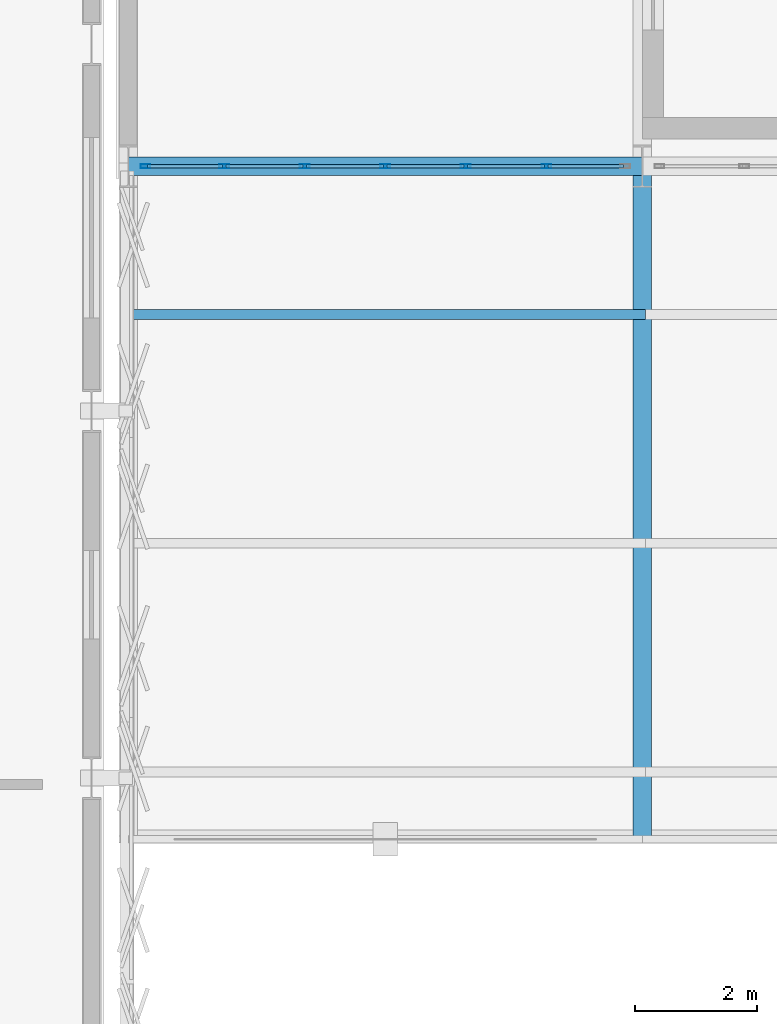
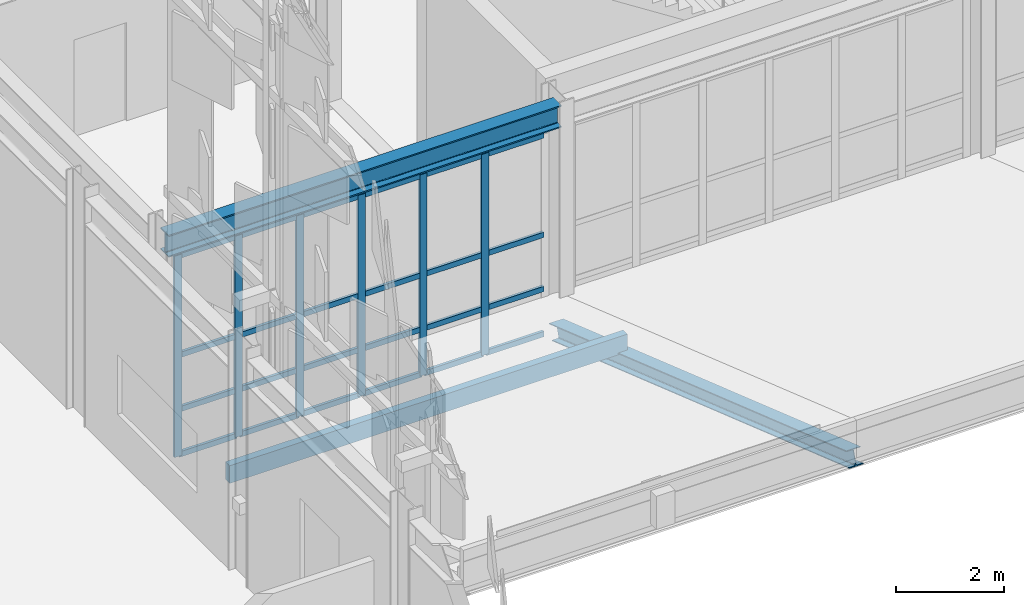
# One storey, part 49 of 239: 32 members, 1 beam, 1 element without a shape of its own.
"""IFC4 building model written with IfcOpenShell, lengths in metres."""

from ifc_helpers import new_model, si_unit, direction, frame, origin, origin_2d, place, context, subcontext, project, spatial, rectangle, hollow_rectangle, i_section, extrude, material, material_profile, profile_set, type_object, element, aggregate, save


model = new_model("IFC4")

# Units and contexts
model_context = context("Model", 3, precision=1e-05, world=origin(), true_north=direction((0.0, 1.0)))
body_context = subcontext(model_context, "Body", "Model", "MODEL_VIEW")
ifc_project = project(units=[si_unit("LENGTHUNIT", "METRE"), si_unit("AREAUNIT", "SQUARE_METRE"), si_unit("VOLUMEUNIT", "CUBIC_METRE"), si_unit("PLANEANGLEUNIT", "RADIAN"), si_unit("MASSUNIT", "GRAM", prefix="KILO")], contexts=[model_context])

# Site, building, storey
site_placement = place(None, origin())
site = spatial("IfcSite", under=ifc_project, at=site_placement, CompositionType="ELEMENT")
building_placement = place(site_placement, origin())
building = spatial("IfcBuilding", under=site, at=building_placement, Name="Kaldris Quays Convention Centre", CompositionType="ELEMENT")
storey_placement = place(building_placement, frame((0.0, 0.0, 11.39990234375)))
storey = spatial("IfcBuildingStorey", under=building, at=storey_placement, Name="L02", CompositionType="ELEMENT", Elevation=11.39990234375)

# Curtain wall, members
ifc_material_1 = material(Name="Anodized aluminium AW-6060 and triple glazing", Category="aluminium")
curtain_wall_type = type_object("IfcCurtainWallType", Name="UNITISED CURTAIN WALL CW04", PredefinedType="NOTDEFINED", material=ifc_material_1)
curtain_wall_placement = place(storey_placement, origin())
curtain_wall = element("IfcCurtainWall", 1, at=curtain_wall_placement, inside=storey, type_object=curtain_wall_type, Name="L02 Unitised Curtain Wall CW04 114", PredefinedType="NOTDEFINED")
ifc_material_2 = material(Name="Anodized aluminium AW-6060", Category="aluminium")
ifc_material_profile_1 = material_profile(ifc_material_2, hollow_rectangle(XDim=0.06005859375, YDim=0.159912109375, WallThickness=0.00390625, at=origin_2d()), Name="RHS 160x60x4")
ifc_profile_set_1 = profile_set([ifc_material_profile_1], Name="Anodized aluminium AW-6060")
member_type_1 = type_object("IfcMemberType", Name="CURTAIN MULLION CWM1", PredefinedType="MULLION", material=ifc_profile_set_1)
member_1_placement = place(storey_placement, frame((83.8798828125, 38.0, 0.0), z_axis=(0.0, 0.0, 1.0), x_axis=(0.0, 1.0, 0.0)))
member_1 = element("IfcMember", 2, at=member_1_placement, type_object=member_type_1, Name="CW04 mullion 1", PredefinedType="MULLION", context=body_context, shape_type="SweptSolid", body=[
    extrude(hollow_rectangle(XDim=0.06005859375, YDim=0.159912109375, WallThickness=0.00390625, at=origin_2d()), origin(), (0.0, 0.0, 1.0), 4.548095703125),
])
member_2_placement = place(storey_placement, frame((85.166748046875, 38.0, 0.0), z_axis=(0.0, 0.0, 1.0), x_axis=(0.0, 1.0, 0.0)))
member_2 = element("IfcMember", 3, at=member_2_placement, type_object=member_type_1, Name="CW04 mullion 2", PredefinedType="MULLION", context=body_context, shape_type="SweptSolid", body=[
    extrude(hollow_rectangle(XDim=0.06005859375, YDim=0.159912109375, WallThickness=0.00390625, at=origin_2d()), origin(), (0.0, 0.0, 1.0), 4.548095703125),
])
member_3_placement = place(storey_placement, frame((86.4833984375, 38.0, 0.0), z_axis=(0.0, 0.0, 1.0), x_axis=(0.0, 1.0, 0.0)))
member_3 = element("IfcMember", 4, at=member_3_placement, type_object=member_type_1, Name="CW04 mullion 3", PredefinedType="MULLION", context=body_context, shape_type="SweptSolid", body=[
    extrude(hollow_rectangle(XDim=0.06005859375, YDim=0.159912109375, WallThickness=0.00390625, at=origin_2d()), origin(), (0.0, 0.0, 1.0), 4.548095703125),
])
member_4_placement = place(storey_placement, frame((87.800048828125, 38.0, 0.0), z_axis=(0.0, 0.0, 1.0), x_axis=(0.0, 1.0, 0.0)))
member_4 = element("IfcMember", 5, at=member_4_placement, type_object=member_type_1, Name="CW04 mullion 4", PredefinedType="MULLION", context=body_context, shape_type="SweptSolid", body=[
    extrude(hollow_rectangle(XDim=0.06005859375, YDim=0.159912109375, WallThickness=0.00390625, at=origin_2d()), origin(), (0.0, 0.0, 1.0), 4.548095703125),
])
member_5_placement = place(storey_placement, frame((89.11669921875, 38.0, 0.0), z_axis=(0.0, 0.0, 1.0), x_axis=(0.0, 1.0, 0.0)))
member_5 = element("IfcMember", 6, at=member_5_placement, type_object=member_type_1, Name="CW04 mullion 5", PredefinedType="MULLION", context=body_context, shape_type="SweptSolid", body=[
    extrude(hollow_rectangle(XDim=0.06005859375, YDim=0.159912109375, WallThickness=0.00390625, at=origin_2d()), origin(), (0.0, 0.0, 1.0), 4.548095703125),
])
member_6_placement = place(storey_placement, frame((90.433349609375, 38.0, 0.0), z_axis=(0.0, 0.0, 1.0), x_axis=(0.0, 1.0, 0.0)))
member_6 = element("IfcMember", 7, at=member_6_placement, type_object=member_type_1, Name="CW04 mullion 6", PredefinedType="MULLION", context=body_context, shape_type="SweptSolid", body=[
    extrude(hollow_rectangle(XDim=0.06005859375, YDim=0.159912109375, WallThickness=0.00390625, at=origin_2d()), origin(), (0.0, 0.0, 1.0), 4.548095703125),
])
ifc_material_profile_2 = material_profile(ifc_material_2, hollow_rectangle(XDim=0.06005859375, YDim=0.1201171875, WallThickness=0.00390625, at=origin_2d()), Name="RHS 120x60x4")
ifc_profile_set_2 = profile_set([ifc_material_profile_2], Name="Anodized aluminium AW-6060")
member_type_2 = type_object("IfcMemberType", Name="CURTAIN TRANSOM CWT1", PredefinedType="USERDEFINED", material=ifc_profile_set_2)
member_7_placement = place(storey_placement, frame((83.909912109375, 38.0, 0.030029296875), z_axis=(1.0, 0.0, 0.0), x_axis=(0.0, 1.0, 0.0)))
member_7 = element("IfcMember", 8, at=member_7_placement, type_object=member_type_2, Name="CW04 transom 1.1", ObjectType="TRANSOM", PredefinedType="USERDEFINED", context=body_context, shape_type="SweptSolid", body=[
    extrude(hollow_rectangle(XDim=0.06005859375, YDim=0.1201171875, WallThickness=0.00390625, at=origin_2d()), origin(), (0.0, 0.0, 1.0), 1.226806640625),
])
member_8_placement = place(storey_placement, frame((83.909912109375, 38.0, 1.050048828125), z_axis=(1.0, 0.0, 0.0), x_axis=(0.0, 1.0, 0.0)))
member_8 = element("IfcMember", 9, at=member_8_placement, type_object=member_type_2, Name="CW04 transom 1.2", ObjectType="TRANSOM", PredefinedType="USERDEFINED", context=body_context, shape_type="SweptSolid", body=[
    extrude(hollow_rectangle(XDim=0.06005859375, YDim=0.1201171875, WallThickness=0.00390625, at=origin_2d()), origin(), (0.0, 0.0, 1.0), 1.226806640625),
])
member_9_placement = place(storey_placement, frame((83.909912109375, 38.0, 2.274169921875), z_axis=(1.0, 0.0, 0.0), x_axis=(0.0, 1.0, 0.0)))
member_9 = element("IfcMember", 10, at=member_9_placement, type_object=member_type_2, Name="CW04 transom 1.3", ObjectType="TRANSOM", PredefinedType="USERDEFINED", context=body_context, shape_type="SweptSolid", body=[
    extrude(hollow_rectangle(XDim=0.06005859375, YDim=0.1201171875, WallThickness=0.00390625, at=origin_2d()), origin(), (0.0, 0.0, 1.0), 1.226806640625),
])
member_10_placement = place(storey_placement, frame((83.909912109375, 38.0, 4.51806640625), z_axis=(1.0, 0.0, 0.0), x_axis=(0.0, 1.0, 0.0)))
member_10 = element("IfcMember", 11, at=member_10_placement, type_object=member_type_2, Name="CW04 transom 1.4", ObjectType="TRANSOM", PredefinedType="USERDEFINED", context=body_context, shape_type="SweptSolid", body=[
    extrude(hollow_rectangle(XDim=0.06005859375, YDim=0.1201171875, WallThickness=0.00390625, at=origin_2d()), origin(), (0.0, 0.0, 1.0), 1.226806640625),
])
member_11_placement = place(storey_placement, frame((85.19677734375, 38.0, 0.030029296875), z_axis=(1.0, 0.0, 0.0), x_axis=(0.0, 1.0, 0.0)))
member_11 = element("IfcMember", 12, at=member_11_placement, type_object=member_type_2, Name="CW04 transom 2.1", ObjectType="TRANSOM", PredefinedType="USERDEFINED", context=body_context, shape_type="SweptSolid", body=[
    extrude(hollow_rectangle(XDim=0.06005859375, YDim=0.1201171875, WallThickness=0.00390625, at=origin_2d()), origin(), (0.0, 0.0, 1.0), 1.256591796875),
])
member_12_placement = place(storey_placement, frame((85.19677734375, 38.0, 1.050048828125), z_axis=(1.0, 0.0, 0.0), x_axis=(0.0, 1.0, 0.0)))
member_12 = element("IfcMember", 13, at=member_12_placement, type_object=member_type_2, Name="CW04 transom 2.2", ObjectType="TRANSOM", PredefinedType="USERDEFINED", context=body_context, shape_type="SweptSolid", body=[
    extrude(hollow_rectangle(XDim=0.06005859375, YDim=0.1201171875, WallThickness=0.00390625, at=origin_2d()), origin(), (0.0, 0.0, 1.0), 1.256591796875),
])
member_13_placement = place(storey_placement, frame((85.19677734375, 38.0, 2.274169921875), z_axis=(1.0, 0.0, 0.0), x_axis=(0.0, 1.0, 0.0)))
member_13 = element("IfcMember", 14, at=member_13_placement, type_object=member_type_2, Name="CW04 transom 2.3", ObjectType="TRANSOM", PredefinedType="USERDEFINED", context=body_context, shape_type="SweptSolid", body=[
    extrude(hollow_rectangle(XDim=0.06005859375, YDim=0.1201171875, WallThickness=0.00390625, at=origin_2d()), origin(), (0.0, 0.0, 1.0), 1.256591796875),
])
member_14_placement = place(storey_placement, frame((85.19677734375, 38.0, 4.51806640625), z_axis=(1.0, 0.0, 0.0), x_axis=(0.0, 1.0, 0.0)))
member_14 = element("IfcMember", 15, at=member_14_placement, type_object=member_type_2, Name="CW04 transom 2.4", ObjectType="TRANSOM", PredefinedType="USERDEFINED", context=body_context, shape_type="SweptSolid", body=[
    extrude(hollow_rectangle(XDim=0.06005859375, YDim=0.1201171875, WallThickness=0.00390625, at=origin_2d()), origin(), (0.0, 0.0, 1.0), 1.256591796875),
])
member_15_placement = place(storey_placement, frame((86.513427734375, 38.0, 0.030029296875), z_axis=(1.0, 0.0, 0.0), x_axis=(0.0, 1.0, 0.0)))
member_15 = element("IfcMember", 16, at=member_15_placement, type_object=member_type_2, Name="CW04 transom 3.1", ObjectType="TRANSOM", PredefinedType="USERDEFINED", context=body_context, shape_type="SweptSolid", body=[
    extrude(hollow_rectangle(XDim=0.06005859375, YDim=0.1201171875, WallThickness=0.00390625, at=origin_2d()), origin(), (0.0, 0.0, 1.0), 1.256591796875),
])
member_16_placement = place(storey_placement, frame((86.513427734375, 38.0, 1.050048828125), z_axis=(1.0, 0.0, 0.0), x_axis=(0.0, 1.0, 0.0)))
member_16 = element("IfcMember", 17, at=member_16_placement, type_object=member_type_2, Name="CW04 transom 3.2", ObjectType="TRANSOM", PredefinedType="USERDEFINED", context=body_context, shape_type="SweptSolid", body=[
    extrude(hollow_rectangle(XDim=0.06005859375, YDim=0.1201171875, WallThickness=0.00390625, at=origin_2d()), origin(), (0.0, 0.0, 1.0), 1.256591796875),
])
member_17_placement = place(storey_placement, frame((86.513427734375, 38.0, 2.274169921875), z_axis=(1.0, 0.0, 0.0), x_axis=(0.0, 1.0, 0.0)))
member_17 = element("IfcMember", 18, at=member_17_placement, type_object=member_type_2, Name="CW04 transom 3.3", ObjectType="TRANSOM", PredefinedType="USERDEFINED", context=body_context, shape_type="SweptSolid", body=[
    extrude(hollow_rectangle(XDim=0.06005859375, YDim=0.1201171875, WallThickness=0.00390625, at=origin_2d()), origin(), (0.0, 0.0, 1.0), 1.256591796875),
])
member_18_placement = place(storey_placement, frame((86.513427734375, 38.0, 4.51806640625), z_axis=(1.0, 0.0, 0.0), x_axis=(0.0, 1.0, 0.0)))
member_18 = element("IfcMember", 19, at=member_18_placement, type_object=member_type_2, Name="CW04 transom 3.4", ObjectType="TRANSOM", PredefinedType="USERDEFINED", context=body_context, shape_type="SweptSolid", body=[
    extrude(hollow_rectangle(XDim=0.06005859375, YDim=0.1201171875, WallThickness=0.00390625, at=origin_2d()), origin(), (0.0, 0.0, 1.0), 1.256591796875),
])
member_19_placement = place(storey_placement, frame((87.830078125, 38.0, 0.030029296875), z_axis=(1.0, 0.0, 0.0), x_axis=(0.0, 1.0, 0.0)))
member_19 = element("IfcMember", 20, at=member_19_placement, type_object=member_type_2, Name="CW04 transom 4.1", ObjectType="TRANSOM", PredefinedType="USERDEFINED", context=body_context, shape_type="SweptSolid", body=[
    extrude(hollow_rectangle(XDim=0.06005859375, YDim=0.1201171875, WallThickness=0.00390625, at=origin_2d()), origin(), (0.0, 0.0, 1.0), 1.256591796875),
])
member_20_placement = place(storey_placement, frame((87.830078125, 38.0, 1.050048828125), z_axis=(1.0, 0.0, 0.0), x_axis=(0.0, 1.0, 0.0)))
member_20 = element("IfcMember", 21, at=member_20_placement, type_object=member_type_2, Name="CW04 transom 4.2", ObjectType="TRANSOM", PredefinedType="USERDEFINED", context=body_context, shape_type="SweptSolid", body=[
    extrude(hollow_rectangle(XDim=0.06005859375, YDim=0.1201171875, WallThickness=0.00390625, at=origin_2d()), origin(), (0.0, 0.0, 1.0), 1.256591796875),
])
member_21_placement = place(storey_placement, frame((87.830078125, 38.0, 2.274169921875), z_axis=(1.0, 0.0, 0.0), x_axis=(0.0, 1.0, 0.0)))
member_21 = element("IfcMember", 22, at=member_21_placement, type_object=member_type_2, Name="CW04 transom 4.3", ObjectType="TRANSOM", PredefinedType="USERDEFINED", context=body_context, shape_type="SweptSolid", body=[
    extrude(hollow_rectangle(XDim=0.06005859375, YDim=0.1201171875, WallThickness=0.00390625, at=origin_2d()), origin(), (0.0, 0.0, 1.0), 1.256591796875),
])
member_22_placement = place(storey_placement, frame((87.830078125, 38.0, 4.51806640625), z_axis=(1.0, 0.0, 0.0), x_axis=(0.0, 1.0, 0.0)))
member_22 = element("IfcMember", 23, at=member_22_placement, type_object=member_type_2, Name="CW04 transom 4.4", ObjectType="TRANSOM", PredefinedType="USERDEFINED", context=body_context, shape_type="SweptSolid", body=[
    extrude(hollow_rectangle(XDim=0.06005859375, YDim=0.1201171875, WallThickness=0.00390625, at=origin_2d()), origin(), (0.0, 0.0, 1.0), 1.256591796875),
])
member_23_placement = place(storey_placement, frame((89.146728515625, 38.0, 0.030029296875), z_axis=(1.0, 0.0, 0.0), x_axis=(0.0, 1.0, 0.0)))
member_23 = element("IfcMember", 24, at=member_23_placement, type_object=member_type_2, Name="CW04 transom 5.1", ObjectType="TRANSOM", PredefinedType="USERDEFINED", context=body_context, shape_type="SweptSolid", body=[
    extrude(hollow_rectangle(XDim=0.06005859375, YDim=0.1201171875, WallThickness=0.00390625, at=origin_2d()), origin(), (0.0, 0.0, 1.0), 1.256591796875),
])
member_24_placement = place(storey_placement, frame((89.146728515625, 38.0, 1.050048828125), z_axis=(1.0, 0.0, 0.0), x_axis=(0.0, 1.0, 0.0)))
member_24 = element("IfcMember", 25, at=member_24_placement, type_object=member_type_2, Name="CW04 transom 5.2", ObjectType="TRANSOM", PredefinedType="USERDEFINED", context=body_context, shape_type="SweptSolid", body=[
    extrude(hollow_rectangle(XDim=0.06005859375, YDim=0.1201171875, WallThickness=0.00390625, at=origin_2d()), origin(), (0.0, 0.0, 1.0), 1.256591796875),
])
member_25_placement = place(storey_placement, frame((89.146728515625, 38.0, 2.274169921875), z_axis=(1.0, 0.0, 0.0), x_axis=(0.0, 1.0, 0.0)))
member_25 = element("IfcMember", 26, at=member_25_placement, type_object=member_type_2, Name="CW04 transom 5.3", ObjectType="TRANSOM", PredefinedType="USERDEFINED", context=body_context, shape_type="SweptSolid", body=[
    extrude(hollow_rectangle(XDim=0.06005859375, YDim=0.1201171875, WallThickness=0.00390625, at=origin_2d()), origin(), (0.0, 0.0, 1.0), 1.256591796875),
])
member_26_placement = place(storey_placement, frame((89.146728515625, 38.0, 4.51806640625), z_axis=(1.0, 0.0, 0.0), x_axis=(0.0, 1.0, 0.0)))
member_26 = element("IfcMember", 27, at=member_26_placement, type_object=member_type_2, Name="CW04 transom 5.4", ObjectType="TRANSOM", PredefinedType="USERDEFINED", context=body_context, shape_type="SweptSolid", body=[
    extrude(hollow_rectangle(XDim=0.06005859375, YDim=0.1201171875, WallThickness=0.00390625, at=origin_2d()), origin(), (0.0, 0.0, 1.0), 1.256591796875),
])
member_27_placement = place(storey_placement, frame((90.46337890625, 38.0, 0.030029296875), z_axis=(1.0, 0.0, 0.0), x_axis=(0.0, 1.0, 0.0)))
member_27 = element("IfcMember", 28, at=member_27_placement, type_object=member_type_2, Name="CW04 transom 6.1", ObjectType="TRANSOM", PredefinedType="USERDEFINED", context=body_context, shape_type="SweptSolid", body=[
    extrude(hollow_rectangle(XDim=0.06005859375, YDim=0.1201171875, WallThickness=0.00390625, at=origin_2d()), origin(), (0.0, 0.0, 1.0), 1.2265625),
])
member_28_placement = place(storey_placement, frame((90.46337890625, 38.0, 1.050048828125), z_axis=(1.0, 0.0, 0.0), x_axis=(0.0, 1.0, 0.0)))
member_28 = element("IfcMember", 29, at=member_28_placement, type_object=member_type_2, Name="CW04 transom 6.2", ObjectType="TRANSOM", PredefinedType="USERDEFINED", context=body_context, shape_type="SweptSolid", body=[
    extrude(hollow_rectangle(XDim=0.06005859375, YDim=0.1201171875, WallThickness=0.00390625, at=origin_2d()), origin(), (0.0, 0.0, 1.0), 1.2265625),
])
member_29_placement = place(storey_placement, frame((90.46337890625, 38.0, 2.274169921875), z_axis=(1.0, 0.0, 0.0), x_axis=(0.0, 1.0, 0.0)))
member_29 = element("IfcMember", 30, at=member_29_placement, type_object=member_type_2, Name="CW04 transom 6.3", ObjectType="TRANSOM", PredefinedType="USERDEFINED", context=body_context, shape_type="SweptSolid", body=[
    extrude(hollow_rectangle(XDim=0.06005859375, YDim=0.1201171875, WallThickness=0.00390625, at=origin_2d()), origin(), (0.0, 0.0, 1.0), 1.2265625),
])
member_30_placement = place(storey_placement, frame((90.46337890625, 38.0, 4.51806640625), z_axis=(1.0, 0.0, 0.0), x_axis=(0.0, 1.0, 0.0)))
member_30 = element("IfcMember", 31, at=member_30_placement, type_object=member_type_2, Name="CW04 transom 6.4", ObjectType="TRANSOM", PredefinedType="USERDEFINED", context=body_context, shape_type="SweptSolid", body=[
    extrude(hollow_rectangle(XDim=0.06005859375, YDim=0.1201171875, WallThickness=0.00390625, at=origin_2d()), origin(), (0.0, 0.0, 1.0), 1.2265625),
])
aggregate(curtain_wall, [member_1, member_2, member_3, member_4, member_5, member_6, member_7, member_8, member_9, member_10, member_11, member_12, member_13, member_14, member_15, member_16, member_17, member_18, member_19, member_20, member_21, member_22, member_23, member_24, member_25, member_26, member_27, member_28, member_29, member_30])

# Beam
ifc_material_3 = material(Name="Steel S355J2", Category="steel")
ifc_material_profile_3 = material_profile(ifc_material_3, i_section(OverallWidth=0.300048828125, OverallDepth=0.5, WebThickness=0.014404296875, FlangeThickness=0.028076171875, FilletRadius=0.027099609375, at=origin_2d()), Name="HEB 500")
ifc_profile_set_3 = profile_set([ifc_material_profile_3], Name="Steel S355J2")
beam_type = type_object("IfcBeamType", Name="STRUCTURAL BEAM BM06", PredefinedType="BEAM", material=ifc_profile_set_3)
beam_placement = place(storey_placement, frame((83.6025390625, 38.0, 4.9130859375), z_axis=(1.0, 0.0, 0.0), x_axis=(0.0, 1.0, 0.0)))
element("IfcBeam", 32, at=beam_placement, inside=storey, type_object=beam_type, Name="L02 Girder BM06 1", PredefinedType="BEAM", context=body_context, shape_type="SweptSolid", body=[
    extrude(i_section(OverallWidth=0.300048828125, OverallDepth=0.5, WebThickness=0.014404296875, FlangeThickness=0.028076171875, FilletRadius=0.027099609375, at=origin_2d()), origin(), (0.0, 0.0, 1.0), 8.39501953125),
])

# Members
ifc_material_4 = material(Name="Glulam GL28h", Category="wood")
ifc_material_profile_4 = material_profile(ifc_material_4, rectangle(XDim=0.159912109375, YDim=0.39990234375, at=origin_2d()), Name="GL 160x400")
ifc_profile_set_4 = profile_set([ifc_material_profile_4], Name="Glulam GL28h")
member_type_3 = type_object("IfcMemberType", Name="STRUCTURAL MEMBER PR01", PredefinedType="PURLIN", material=ifc_profile_set_4)
member_31_placement = place(storey_placement, frame((83.550048828125, 35.580078125, 1.201171875), z_axis=(1.0, 0.0, 0.0), x_axis=(0.0, 1.0, 0.0)))
element("IfcMember", 33, at=member_31_placement, inside=storey, type_object=member_type_3, Name="WR-SOUTH-ENTRY Glulam Wing Purlin 1", PredefinedType="PURLIN", context=body_context, shape_type="SweptSolid", body=[
    extrude(rectangle(XDim=0.159912109375, YDim=0.39990234375, at=origin_2d()), origin(), (0.0, 0.0, 1.0), 8.5),
])
ifc_material_profile_5 = material_profile(ifc_material_3, i_section(OverallWidth=0.300048828125, OverallDepth=0.35009765625, WebThickness=0.010009765625, FlangeThickness=0.017578125, FilletRadius=0.027099609375, at=origin_2d()), Name="HEA 360")
ifc_profile_set_5 = profile_set([ifc_material_profile_5], Name="Steel S355J2")
member_type_4 = type_object("IfcMemberType", Name="STRUCTURAL MEMBER WRF1", PredefinedType="RAFTER", material=ifc_profile_set_5)
member_32_placement = place(storey_placement, frame((92.0, 38.0, -0.000244140625), z_axis=(0.0, -0.945518736739, 0.325567686474), x_axis=(1.0, 0.0, 0.0)))
element("IfcMember", 34, at=member_32_placement, inside=storey, type_object=member_type_4, Name="WR-SOUTH-ENTRY Wing Cantilever Rafter 2", PredefinedType="RAFTER", context=body_context, shape_type="SweptSolid", body=[
    extrude(i_section(OverallWidth=0.300048828125, OverallDepth=0.35009765625, WebThickness=0.010009765625, FlangeThickness=0.017578125, FilletRadius=0.027099609375, at=origin_2d()), origin(), (0.0, 0.0, 1.0), 11.6337890625),
])

save(model, "model.ifc")
